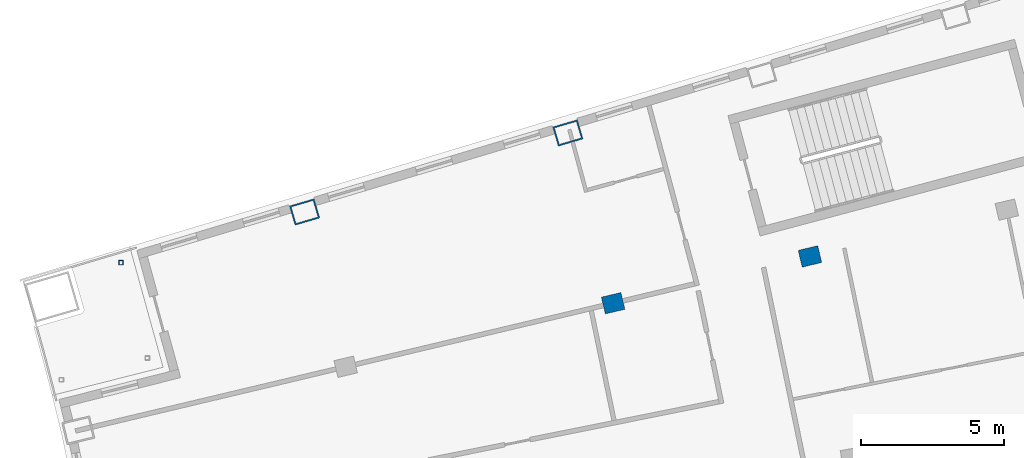
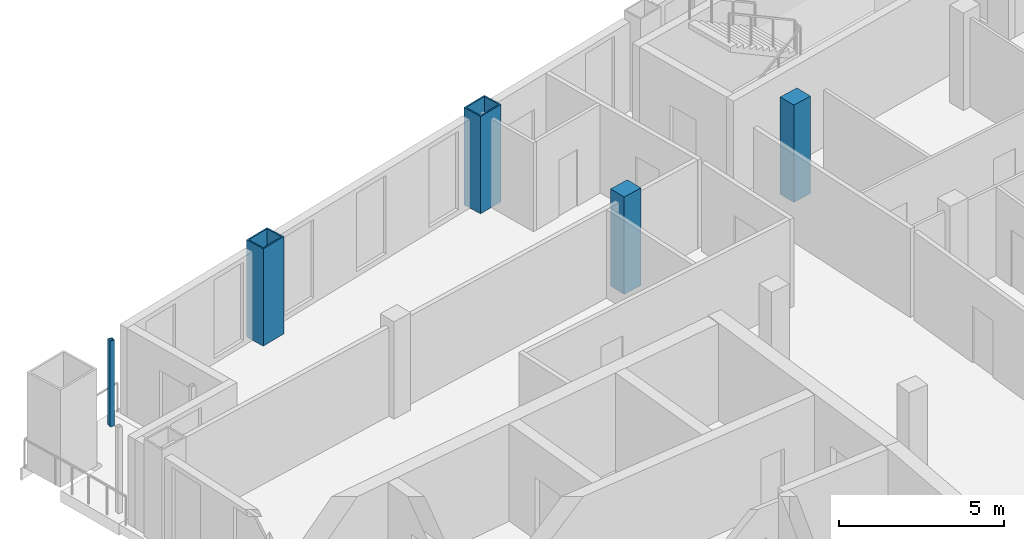
# One storey, part 5 of 15: 5 columns.
"""IFC4 building model written with IfcOpenShell, lengths in metres."""

import ifcopenshell
import ifcopenshell.guid

model = None  # the IFC model being written
_history = None  # IfcOwnerHistory: only IFC2X3 demands one
_inside = {}  # id of a spatial element -> (the spatial element, [elements in it])
_under = {}  # id of a project, library or spatial element -> (it, [spatial elements below it])
_declared = {}  # id of a project -> (the project, [libraries it declares])
_typed = {}  # id of a type object -> (the type object, [elements of that type])
_made_of = {}  # id of a material, layer set ... -> (it, [elements and type objects made of it])


def new_model(schema):
    """Start an empty IFC model of exactly this schema.

    Asked for "IFC4X3", IfcOpenShell would pick the latest addendum, in which some entities
    have other attributes; the version numbers below select the first issue.
    IFC2X3 requires an IfcOwnerHistory on every rooted entity: one is made here for all.
    """
    global model, _history
    if schema == "IFC4X3":
        model = ifcopenshell.file(schema_version=(4, 3, 0, 0))
    else:
        model = ifcopenshell.file(schema=schema)
    _inside.clear()
    _under.clear()
    _declared.clear()
    _typed.clear()
    _made_of.clear()
    _history = None
    if model.schema == "IFC2X3":
        org = make("IfcOrganization", Name="unknown")
        user = make(
            "IfcPersonAndOrganization",
            ThePerson=make("IfcPerson", FamilyName="unknown"),
            TheOrganization=org,
        )
        app = make(
            "IfcApplication",
            ApplicationDeveloper=org,
            Version="unknown",
            ApplicationFullName="unknown",
            ApplicationIdentifier="unknown",
        )
        _history = make(
            "IfcOwnerHistory",
            OwningUser=user,
            OwningApplication=app,
            ChangeAction="ADDED",
            CreationDate=0,
        )
    return model


def make(cls, **values):
    """One entity of the class cls with the attributes given. An attribute that is None is left unset."""
    return model.create_entity(
        cls, **{name: value for name, value in values.items() if value is not None}
    )


def rooted(cls, **values):
    """An entity with a GlobalId (a new one), such as an element, a storey or a relation."""
    return make(cls, GlobalId=ifcopenshell.guid.new(), OwnerHistory=_history, **values)


def si_unit(unit_type, name, prefix=None):
    """IfcSIUnit, for example si_unit("LENGTHUNIT", "METRE", prefix="MILLI")."""
    return make("IfcSIUnit", UnitType=unit_type, Prefix=prefix, Name=name)


def assignment(units):
    """IfcUnitAssignment: the units of a project."""
    return None if units is None else make("IfcUnitAssignment", Units=units)


def point(xyz):
    """IfcCartesianPoint."""
    return None if xyz is None else make("IfcCartesianPoint", Coordinates=xyz)


def direction(xyz):
    """IfcDirection."""
    return None if xyz is None else make("IfcDirection", DirectionRatios=xyz)


def frame(location, z_axis=None, x_axis=None):
    """IfcAxis2Placement3D, a coordinate frame: its origin and axes. An axis left out is left unset."""
    return make(
        "IfcAxis2Placement3D",
        Location=point(location),
        Axis=direction(z_axis),
        RefDirection=direction(x_axis),
    )


def frame_2d(location, x_axis=None):
    """IfcAxis2Placement2D, a coordinate frame in the plane: its origin and x axis."""
    return make(
        "IfcAxis2Placement2D", Location=point(location), RefDirection=direction(x_axis)
    )


def origin():
    """The frame at (0, 0, 0) with its axes left unset."""
    return frame((0.0, 0.0, 0.0))


def origin_2d():
    """The frame at (0, 0) in the plane with its x axis left unset."""
    return frame_2d((0.0, 0.0))


def place(relative_to, where):
    """IfcLocalPlacement: puts the frame where relative to a parent placement (None: the world)."""
    return make(
        "IfcLocalPlacement", PlacementRelTo=relative_to, RelativePlacement=where
    )


def context(
    kind, dimensions, precision=None, world=None, true_north=None, identifier=None
):
    """IfcGeometricRepresentationContext, for example the 3D "Model" context."""
    return make(
        "IfcGeometricRepresentationContext",
        ContextIdentifier=identifier,
        ContextType=kind,
        CoordinateSpaceDimension=dimensions,
        Precision=precision,
        WorldCoordinateSystem=world,
        TrueNorth=true_north,
    )


def subcontext(parent, identifier, kind, view, scale=None):
    """IfcGeometricRepresentationSubContext, for example "Body" below "Model"."""
    return make(
        "IfcGeometricRepresentationSubContext",
        ContextIdentifier=identifier,
        ContextType=kind,
        ParentContext=parent,
        TargetScale=scale,
        TargetView=view,
    )


def project(units=None, contexts=None):
    """IfcProject with its units and contexts."""
    return rooted(
        "IfcProject",
        Name="project",
        RepresentationContexts=contexts,
        UnitsInContext=assignment(units),
    )


def spatial(cls, under=None, at=None, **own):
    """A site, building, storey or space (cls), placed at a placement, below another one or the project."""
    s = rooted(cls, ObjectPlacement=at, **own)
    if under is not None:
        _under.setdefault(under.id(), (under, []))[1].append(s)
    return s


def profile(cls, at=None, kind="AREA", **sizes):
    """A parametric profile (cls). Its sizes go by their IFC names, for example OverallWidth=200.0."""
    return make(cls, ProfileType=kind, Position=at, **sizes)


def rectangle(**sizes):
    """IfcRectangleProfileDef."""
    return profile("IfcRectangleProfileDef", **sizes)


def hollow_rectangle(**sizes):
    """IfcRectangleHollowProfileDef."""
    return profile("IfcRectangleHollowProfileDef", **sizes)


def extrude(swept, where, along, depth):
    """IfcExtrudedAreaSolid: the profile swept, set in the frame where, extruded along a direction by depth."""
    return make(
        "IfcExtrudedAreaSolid",
        SweptArea=swept,
        Position=where,
        ExtrudedDirection=direction(along),
        Depth=depth,
    )


def shape(context_of_items, identifier, shape_type, items):
    """IfcShapeRepresentation: the items that make up one representation, for example the "Body"."""
    return make(
        "IfcShapeRepresentation",
        ContextOfItems=context_of_items,
        RepresentationIdentifier=identifier,
        RepresentationType=shape_type,
        Items=items,
    )


def material(Name=None, Category=None):
    """IfcMaterial."""
    return make("IfcMaterial", Name=Name, Category=Category)


def material_profile(
    of_material, cross_section, Name=None, Category=None, Priority=None
):
    """IfcMaterialProfile: a cross section and its material."""
    return make(
        "IfcMaterialProfile",
        Name=Name,
        Material=of_material,
        Profile=cross_section,
        Priority=Priority,
        Category=Category,
    )


def profile_set(profiles, Name=None, composite=None):
    """IfcMaterialProfileSet."""
    return make(
        "IfcMaterialProfileSet",
        Name=Name,
        MaterialProfiles=profiles,
        CompositeProfile=composite,
    )


def made_of(thing, what):
    """Note that an element or type object is made of a material, layer set ...; save() writes the relation."""
    if what is not None:
        _made_of.setdefault(what.id(), (what, []))[1].append(thing)
    return thing


def type_object(cls, material=None, **own):
    """A type object (cls), such as IfcWallType, which elements share."""
    return made_of(rooted(cls, **own), material)


def element(
    cls,
    number,
    at=None,
    inside=None,
    cuts=None,
    type_object=None,
    material=None,
    context=None,
    identifier="Body",
    shape_type=None,
    held_by="IfcProductDefinitionShape",
    body=None,
    shapes=None,
    **own,
):
    """One element of the class cls, such as IfcWall. Its Tag is "e" and its number.

    at: its placement. inside: the storey or other place that contains it. cuts: it is an
    opening in that element (IfcRelVoidsElement). A single representation is given by context,
    identifier, shape_type and body (its items); several are given by shapes. held_by: the class
    of the entity that holds the representations. save() writes the other relations.
    """
    e = rooted(cls, Tag="e%d" % number, ObjectPlacement=at, **own)
    if body is not None:
        shapes = [shape(context, identifier, shape_type, body)]
    if shapes is not None:
        e.Representation = make(held_by, Representations=shapes)
    if inside is not None:
        _inside.setdefault(inside.id(), (inside, []))[1].append(e)
    if cuts is not None:
        rooted(
            "IfcRelVoidsElement", RelatingBuildingElement=cuts, RelatedOpeningElement=e
        )
    if type_object is not None:
        _typed.setdefault(type_object.id(), (type_object, []))[1].append(e)
    return made_of(e, material)


def aggregate(whole, parts):
    """IfcRelAggregates: a whole, such as a stair, and the parts it consists of."""
    return rooted("IfcRelAggregates", RelatingObject=whole, RelatedObjects=parts)


def save(model, path):
    """Write the relations noted so far, then the file.

    IfcRelAggregates (storeys below a building ...), IfcRelContainedInSpatialStructure (elements
    in a storey), IfcRelDefinesByType, IfcRelAssociatesMaterial and IfcRelDeclares: one each for
    every whole, place, type object, material and project.
    """
    for whole, parts in _under.values():
        aggregate(whole, parts)
    for where, things in _inside.values():
        rooted(
            "IfcRelContainedInSpatialStructure",
            RelatedElements=things,
            RelatingStructure=where,
        )
    for kind, things in _typed.values():
        rooted("IfcRelDefinesByType", RelatedObjects=things, RelatingType=kind)
    for what, things in _made_of.values():
        rooted("IfcRelAssociatesMaterial", RelatedObjects=things, RelatingMaterial=what)
    for by, libraries in _declared.values():
        rooted("IfcRelDeclares", RelatingContext=by, RelatedDefinitions=libraries)
    model.write(path)


model = new_model("IFC4")

# Units and contexts
model_context = context("Model", 3, precision=1e-05, world=origin(), true_north=direction((0.0, 1.0)))
body_context = subcontext(model_context, "Body", "Model", "MODEL_VIEW")
ifc_project = project(units=[si_unit("LENGTHUNIT", "METRE"), si_unit("AREAUNIT", "SQUARE_METRE"), si_unit("VOLUMEUNIT", "CUBIC_METRE"), si_unit("PLANEANGLEUNIT", "RADIAN"), si_unit("MASSUNIT", "GRAM", prefix="KILO")], contexts=[model_context])

# Site, building, storey
site_placement = place(None, origin())
site = spatial("IfcSite", under=ifc_project, at=site_placement, CompositionType="ELEMENT")
building_placement = place(site_placement, origin())
building = spatial("IfcBuilding", under=site, at=building_placement, Name="Alderwake Tower", CompositionType="ELEMENT")
storey_placement = place(building_placement, frame((0.0, 0.0, 249.199951171875)))
storey = spatial("IfcBuildingStorey", under=building, at=storey_placement, Name="L61", CompositionType="ELEMENT", Elevation=249.199951171875)

# Columns
ifc_material_1 = material(Name="Steel ASTM A572 Grade 50 concrete filled C70/85", Category="concrete")
ifc_material_profile_1 = material_profile(ifc_material_1, hollow_rectangle(XDim=0.699951171875, YDim=0.89990234375, WallThickness=0.050048828125, at=origin_2d()), Name="BOX 900X700X50")
ifc_profile_set_1 = profile_set([ifc_material_profile_1], Name="Steel ASTM A572 Grade 50 concrete filled C70/85")
column_type_1 = type_object("IfcColumnType", Name="End column Z5", PredefinedType="COLUMN", material=ifc_profile_set_1)
for number, where, z_axis, x_axis, name in (
    (1, (21.885498046875, 90.96240234375, 0.0), (0.0, 0.0, 1.0), (-0.282132160283, 0.95937554906, 0.0), "Column R12-C1"),
    (2, (31.080322265625, 93.72314453125, 0.0), (0.0, 0.0, 1.0), (-0.282582549822, 0.959242984095, 0.0), "Column R12-C2"),
):
    element("IfcColumn", number, at=place(storey_placement, frame(where, z_axis=z_axis, x_axis=x_axis)), inside=storey, type_object=column_type_1, Name=name, PredefinedType="COLUMN", context=body_context, shape_type="SweptSolid", body=[
        extrude(hollow_rectangle(XDim=0.699951171875, YDim=0.89990234375, WallThickness=0.050048828125, at=origin_2d()), origin(), (0.0, 0.0, 1.0), 3.60009765625),
    ])
ifc_material_2 = material(Name="Concrete C70/85", Category="concrete")
ifc_material_profile_2 = material_profile(ifc_material_2, rectangle(XDim=0.60009765625, YDim=0.699951171875, at=origin_2d()), Name="RC 700X600")
ifc_profile_set_2 = profile_set([ifc_material_profile_2], Name="Concrete C70/85")
column_type_2 = type_object("IfcColumnType", Name="Interior column Z5", PredefinedType="COLUMN", material=ifc_profile_set_2)
for number, where, z_axis, x_axis, name in (
    (3, (32.661865234375, 87.775390625, 0.0), (0.0, 0.0, 1.0), (-0.231221547198, 0.972901123502, 0.0), "Column R11-C2"),
    (4, (39.537109375, 89.409423828125, 0.0), (0.0, 0.0, 1.0), (-0.231221547198, 0.972901123502, 0.0), "Column R11-C3"),
):
    element("IfcColumn", number, at=place(storey_placement, frame(where, z_axis=z_axis, x_axis=x_axis)), inside=storey, type_object=column_type_2, Name=name, PredefinedType="COLUMN", context=body_context, shape_type="SweptSolid", body=[
        extrude(rectangle(XDim=0.60009765625, YDim=0.699951171875, at=origin_2d()), origin(), (0.0, 0.0, 1.0), 3.60009765625),
    ])
ifc_material_3 = material(Name="Steel ASTM A500 Grade C", Category="steel")
ifc_material_profile_3 = material_profile(ifc_material_3, hollow_rectangle(XDim=0.15234375, YDim=0.15234375, WallThickness=0.0087890625, at=origin_2d()), Name="HSS6X6X3/8")
ifc_profile_set_3 = profile_set([ifc_material_profile_3], Name="Steel ASTM A500 Grade C")
column_type_3 = type_object("IfcColumnType", Name="Light post HSS6X6X3/8", PredefinedType="COLUMN", material=ifc_profile_set_3)
column_placement = place(storey_placement, frame((15.47412109375, 89.194091796875, 0.0), z_axis=(0.0, 0.0, 1.0), x_axis=(1.0, 0.0, 0.0)))
element("IfcColumn", 5, at=column_placement, inside=storey, type_object=column_type_3, Name="Terrace post RN2", PredefinedType="COLUMN", context=body_context, shape_type="SweptSolid", body=[
    extrude(hollow_rectangle(XDim=0.15234375, YDim=0.15234375, WallThickness=0.0087890625, at=origin_2d()), origin(), (0.0, 0.0, 1.0), 3.179931640625),
])

save(model, "model.ifc")
